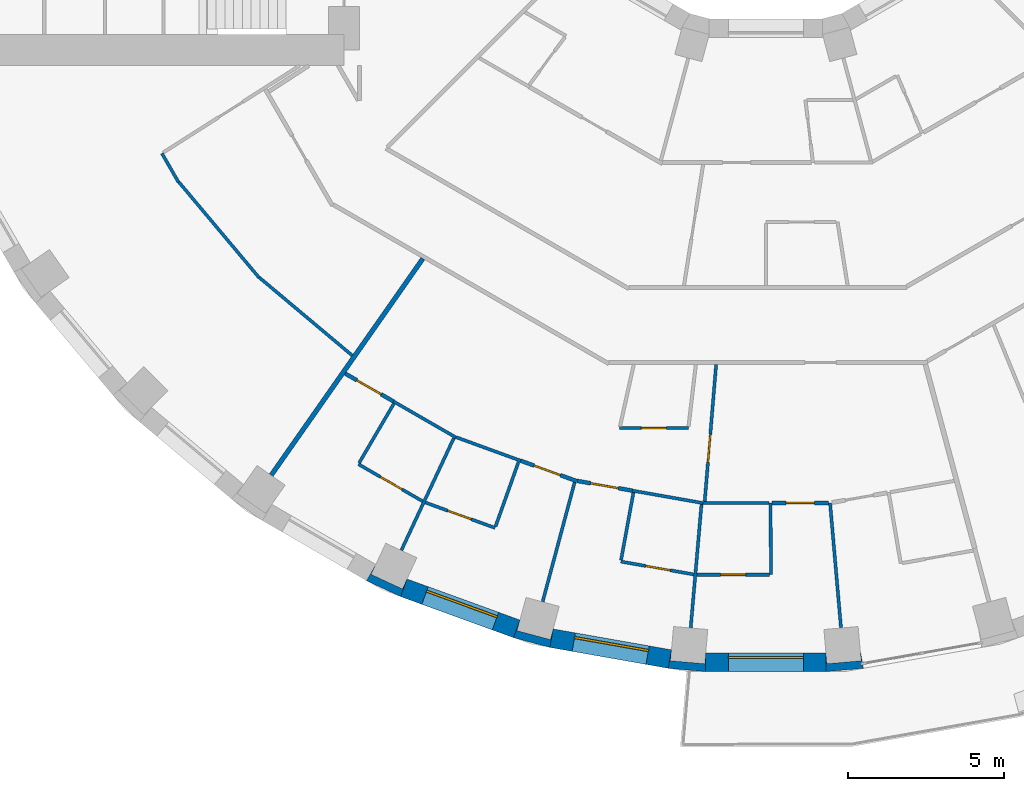
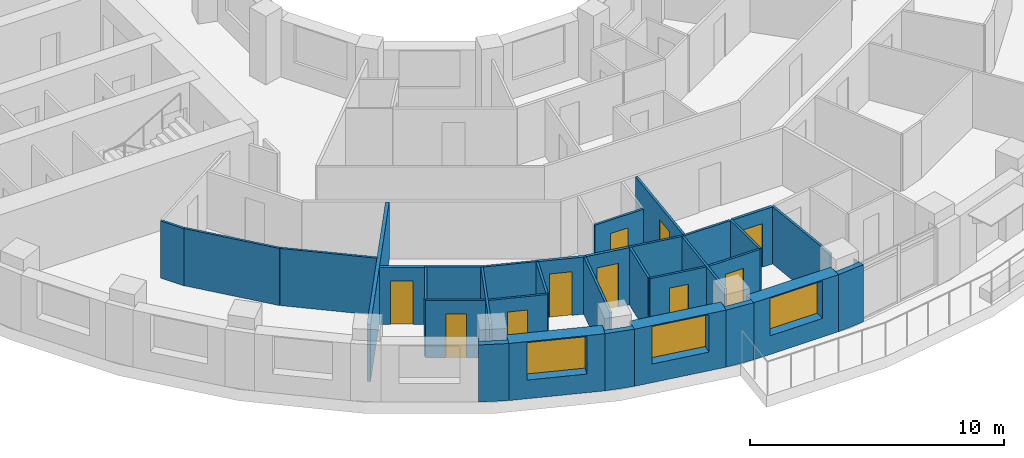
# One storey, part 5 of 16: 33 walls, 10 doors, 3 windows, 13 openings.
"""IFC4 building model written with IfcOpenShell, lengths in metres."""

from ifc_helpers import new_model, si_unit, direction, frame, frame_2d, origin, place, context, subcontext, project, spatial, polyline, rectangle, outline, extrude, material, layer, layer_set, type_object, element, fill, save


model = new_model("IFC4")

# Units and contexts
model_context = context("Model", 3, precision=1e-05, world=origin(), true_north=direction((0.0, 1.0)))
body_context = subcontext(model_context, "Body", "Model", "MODEL_VIEW")
ifc_project = project(units=[si_unit("LENGTHUNIT", "METRE"), si_unit("AREAUNIT", "SQUARE_METRE"), si_unit("VOLUMEUNIT", "CUBIC_METRE"), si_unit("PLANEANGLEUNIT", "RADIAN"), si_unit("MASSUNIT", "GRAM", prefix="KILO")], contexts=[model_context])

# Site, building, storey
site_placement = place(None, origin())
site = spatial("IfcSite", under=ifc_project, at=site_placement, CompositionType="ELEMENT")
building_placement = place(site_placement, origin())
building = spatial("IfcBuilding", under=site, at=building_placement, Name="Saqina Gate Tower", CompositionType="ELEMENT")
storey_placement = place(building_placement, frame((0.0, 0.0, 32.89990234375)))
storey = spatial("IfcBuildingStorey", under=building, at=storey_placement, Name="L08", CompositionType="ELEMENT", Elevation=32.89990234375)

# Walls
ifc_material_1 = material(Name="Brick masonry (red)", Category="masonry")
wall_type_1 = type_object("IfcWallType", Name="BRICK PIER COPING RED", PredefinedType="SOLIDWALL", material=ifc_material_1)
wall_1_placement = place(storey_placement, origin())
element("IfcWall", 1, at=wall_1_placement, inside=storey, type_object=wall_type_1, Name="Pier cap L08 column 25", PredefinedType="SOLIDWALL", context=body_context, shape_type="SweptSolid", body=[
    extrude(outline(polyline([(-11.687744140625, -26.48974609375), (-11.482666015625, -25.92578125), (-11.630615234375, -26.243408203125), (-12.627685546875, -25.778564453125), (-12.4794921875, -25.4609375), (-12.779541015625, -25.980712890625), (-11.687744140625, -26.48974609375)])), origin(), (0.0, 0.0, 1.0), 2.75),
])
wall_2_placement = place(storey_placement, origin())
element("IfcWall", 2, at=wall_2_placement, inside=storey, type_object=wall_type_1, Name="Pier cap L08 column 26", PredefinedType="SOLIDWALL", context=body_context, shape_type="SweptSolid", body=[
    extrude(outline(polyline([(-6.910400390625, -28.11669921875), (-6.80615234375, -27.52587890625), (-6.896728515625, -27.864501953125), (-7.95947265625, -27.57958984375), (-7.86865234375, -27.2412109375), (-8.073974609375, -27.80517578125), (-6.910400390625, -28.11669921875)])), origin(), (0.0, 0.0, 1.0), 2.75),
])
wall_3_placement = place(storey_placement, origin())
element("IfcWall", 3, at=wall_3_placement, inside=storey, type_object=wall_type_1, Name="Pier cap L08 column 27", PredefinedType="SOLIDWALL", context=body_context, shape_type="SweptSolid", body=[
    extrude(outline(polyline([(-3.122802734375, -28.78466796875), (-1.9228515625, -28.8896484375), (-1.9228515625, -28.28955078125), (-1.95361328125, -28.638671875), (-3.04931640625, -28.54296875), (-3.018798828125, -28.19384765625), (-3.122802734375, -28.78466796875)])), origin(), (0.0, 0.0, 1.0), 2.75),
])
wall_4_placement = place(storey_placement, origin())
element("IfcWall", 4, at=wall_4_placement, inside=storey, type_object=wall_type_1, Name="Pier cap L08 column 28", PredefinedType="SOLIDWALL", context=body_context, shape_type="SweptSolid", body=[
    extrude(outline(polyline([(1.9228515625, -28.8896484375), (3.122802734375, -28.78466796875), (3.018798828125, -28.19384765625), (3.04931640625, -28.54296875), (1.95361328125, -28.638671875), (1.9228515625, -28.28955078125), (1.9228515625, -28.8896484375)])), origin(), (0.0, 0.0, 1.0), 2.75),
])

# Wall, opening, window
ifc_material_2 = material(Name="Brick masonry (red)", Category="masonry")
ifc_layer_1 = layer(ifc_material_2, 0.60009765625)
ifc_layer_set_1 = layer_set([ifc_layer_1], Name="FW-BRICK-RED")
wall_type_2 = type_object("IfcWallType", Name="FW-BRICK-RED", PredefinedType="SOLIDWALL", material=ifc_layer_set_1)
wall_5_placement = place(storey_placement, frame((-11.585205078125, -26.207763671875, 0.0), z_axis=(0.0, 0.0, 1.0), x_axis=(0.939689588564, -0.342028474173, 0.0)))
wall_5 = element("IfcWall", 5, at=wall_5_placement, inside=storey, type_object=wall_type_2, Name="Facade wall L08 facet 25", PredefinedType="SOLIDWALL", context=body_context, shape_type="SweptSolid", body=[
    extrude(rectangle(XDim=3.845947265625, YDim=0.60009765625, at=frame_2d((1.9228515625, 0.0))), origin(), (0.0, 0.0, 1.0), 2.75),
])
opening_1_placement = place(wall_5_placement, frame((0.722900390625, 0.0, 0.89990234375)))
opening_1 = element("IfcOpeningElement", 6, at=opening_1_placement, cuts=wall_5, Name="Opening G01-W18", PredefinedType="OPENING", context=body_context, shape_type="SweptSolid", body=[
    extrude(rectangle(XDim=2.39990234375, YDim=1.800048828125, at=frame_2d((1.199951171875, 0.89990234375))), frame((0.0, 0.31201171875, 0.0), z_axis=(0.0, -1.0, 0.0), x_axis=(1.0, 0.0, 0.0)), (0.0, 0.0, 1.0), 0.6240234375),
])
ifc_material_3 = material(Name="Aluminium glazing", Category="aluminium")
window_type = type_object("IfcWindowType", Name="WN-A", PartitioningType="SINGLE_PANEL", PredefinedType="WINDOW", material=ifc_material_3)
window_1_placement = place(opening_1_placement, origin())
window_1 = element("IfcWindow", 7, at=window_1_placement, inside=storey, type_object=window_type, Name="Window L08 facet 25", OverallHeight=1.800048828125, OverallWidth=2.39990234375, PartitioningType="SINGLE_PANEL", PredefinedType="WINDOW", context=body_context, shape_type="SweptSolid", body=[
    extrude(rectangle(XDim=2.39990234375, YDim=1.800048828125, at=frame_2d((1.199951171875, 0.89990234375))), frame((0.0, 0.179931640625, 0.0), z_axis=(0.0, -1.0, 0.0), x_axis=(1.0, 0.0, 0.0)), (0.0, 0.0, 1.0), 0.06005859375),
])
fill(opening_1, window_1)

wall_6_placement = place(storey_placement, frame((-6.858154296875, -27.8212890625, 0.0), z_axis=(0.0, 0.0, 1.0), x_axis=(0.984800809218, -0.173687553279, 0.0)))
wall_6 = element("IfcWall", 8, at=wall_6_placement, inside=storey, type_object=wall_type_2, Name="Facade wall L08 facet 26", PredefinedType="SOLIDWALL", context=body_context, shape_type="SweptSolid", body=[
    extrude(rectangle(XDim=3.845703125, YDim=0.60009765625, at=frame_2d((1.9228515625, 0.0))), origin(), (0.0, 0.0, 1.0), 2.75),
])
opening_2_placement = place(wall_6_placement, frame((0.722900390625, 0.0, 0.89990234375)))
opening_2 = element("IfcOpeningElement", 9, at=opening_2_placement, cuts=wall_6, Name="Opening G01-W19", PredefinedType="OPENING", context=body_context, shape_type="SweptSolid", body=[
    extrude(rectangle(XDim=2.39990234375, YDim=1.800048828125, at=frame_2d((1.199951171875, 0.89990234375))), frame((0.0, 0.31201171875, 0.0), z_axis=(0.0, -1.0, 0.0), x_axis=(1.0, 0.0, 0.0)), (0.0, 0.0, 1.0), 0.6240234375),
])
window_2_placement = place(opening_2_placement, origin())
window_2 = element("IfcWindow", 10, at=window_2_placement, inside=storey, type_object=window_type, Name="Window L08 facet 26", OverallHeight=1.800048828125, OverallWidth=2.39990234375, PartitioningType="SINGLE_PANEL", PredefinedType="WINDOW", context=body_context, shape_type="SweptSolid", body=[
    extrude(rectangle(XDim=2.39990234375, YDim=1.800048828125, at=frame_2d((1.199951171875, 0.89990234375))), frame((0.0, 0.179931640625, 0.0), z_axis=(0.0, -1.0, 0.0), x_axis=(1.0, 0.0, 0.0)), (0.0, 0.0, 1.0), 0.06005859375),
])
fill(opening_2, window_2)

wall_7_placement = place(storey_placement, frame((-1.9228515625, -28.589599609375, 0.0), z_axis=(0.0, 0.0, 1.0), x_axis=(1.0, 0.0, 0.0)))
wall_7 = element("IfcWall", 11, at=wall_7_placement, inside=storey, type_object=wall_type_2, Name="Facade wall L08 facet 27", PredefinedType="SOLIDWALL", context=body_context, shape_type="SweptSolid", body=[
    extrude(rectangle(XDim=3.845703125, YDim=0.60009765625, at=frame_2d((1.9228515625, 0.0))), origin(), (0.0, 0.0, 1.0), 2.75),
])
opening_3_placement = place(wall_7_placement, frame((0.722900390625, 0.0, 0.89990234375)))
opening_3 = element("IfcOpeningElement", 12, at=opening_3_placement, cuts=wall_7, Name="Opening G01-W20", PredefinedType="OPENING", context=body_context, shape_type="SweptSolid", body=[
    extrude(rectangle(XDim=2.39990234375, YDim=1.800048828125, at=frame_2d((1.199951171875, 0.89990234375))), frame((0.0, 0.31201171875, 0.0), z_axis=(0.0, -1.0, 0.0), x_axis=(1.0, 0.0, 0.0)), (0.0, 0.0, 1.0), 0.6240234375),
])
window_3_placement = place(opening_3_placement, origin())
window_3 = element("IfcWindow", 13, at=window_3_placement, inside=storey, type_object=window_type, Name="Window L08 facet 27", OverallHeight=1.800048828125, OverallWidth=2.39990234375, PartitioningType="SINGLE_PANEL", PredefinedType="WINDOW", context=body_context, shape_type="SweptSolid", body=[
    extrude(rectangle(XDim=2.39990234375, YDim=1.800048828125, at=frame_2d((1.199951171875, 0.89990234375))), frame((0.0, 0.179931640625, 0.0), z_axis=(0.0, -1.0, 0.0), x_axis=(1.0, 0.0, 0.0)), (0.0, 0.0, 1.0), 0.06005859375),
])
fill(opening_3, window_3)

# Walls
ifc_material_4 = material(Name="Gypsum board on steel studs, 100 mm", Category="steel")
ifc_layer_2 = layer(ifc_material_4, 0.10009765625)
ifc_layer_set_2 = layer_set([ifc_layer_2], Name="PARTITION 100")
wall_type_3 = type_object("IfcWallType", Name="PARTITION 100", PredefinedType="PARTITIONING", material=ifc_layer_set_2)
wall_8_placement = place(storey_placement, frame((0.14990234375, -23.489990234375, 0.0), z_axis=(0.0, 0.0, 1.0), x_axis=(0.006580899844, -0.999978345644, 0.0)))
element("IfcWall", 14, at=wall_8_placement, inside=storey, type_object=wall_type_3, Name="PARTITION PW3-02", PredefinedType="PARTITIONING", context=body_context, shape_type="SweptSolid", body=[
    extrude(rectangle(XDim=2.300048828125, YDim=0.10009765625, at=frame_2d((1.14990234375, 0.0))), origin(), (0.0, 0.0, 1.0), 2.75),
])
wall_9_placement = place(storey_placement, frame((2.054931640625, -23.489990234375, 0.0), z_axis=(0.0, 0.0, 1.0), x_axis=(0.087176012461, -0.996192924514, 0.0)))
element("IfcWall", 15, at=wall_9_placement, inside=storey, type_object=wall_type_3, Name="PARTITION PW3-04", PredefinedType="PARTITIONING", context=body_context, shape_type="SweptSolid", body=[
    extrude(rectangle(XDim=4.010498046875, YDim=0.10009765625, at=frame_2d((2.00537109375, 0.0))), origin(), (0.0, 0.0, 1.0), 2.75),
])
wall_10_placement = place(storey_placement, frame((-19.324951171875, -12.306884765625, 0.0), z_axis=(0.0, 0.0, 1.0), x_axis=(0.499069511817, -0.866561955301, 0.0)))
element("IfcWall", 16, at=wall_10_placement, inside=storey, type_object=wall_type_3, Name="PARTITION PW3-23", PredefinedType="PARTITIONING", context=body_context, shape_type="SweptSolid", body=[
    extrude(rectangle(XDim=1.0576171875, YDim=0.10009765625, at=frame_2d((0.52880859375, 0.0))), origin(), (0.0, 0.0, 1.0), 2.75),
])
wall_11_placement = place(storey_placement, frame((-18.789794921875, -13.21728515625, 0.0), z_axis=(0.0, 0.0, 1.0), x_axis=(0.642871887239, -0.765973717955, 0.0)))
element("IfcWall", 17, at=wall_11_placement, inside=storey, type_object=wall_type_3, Name="PARTITION PW3-28", PredefinedType="PARTITIONING", context=body_context, shape_type="SweptSolid", body=[
    extrude(rectangle(XDim=4.006103515625, YDim=0.10009765625, at=frame_2d((2.0029296875, 0.0))), origin(), (0.0, 0.0, 1.0), 2.75),
])
wall_12_placement = place(storey_placement, frame((-16.208740234375, -16.279052734375, 0.0), z_axis=(0.0, 0.0, 1.0), x_axis=(0.765983658549, -0.642860042961, 0.0)))
element("IfcWall", 18, at=wall_12_placement, inside=storey, type_object=wall_type_3, Name="PARTITION PW3-33", PredefinedType="PARTITIONING", context=body_context, shape_type="SweptSolid", body=[
    extrude(rectangle(XDim=3.880615234375, YDim=0.10009765625, at=frame_2d((1.9404296875, 0.0))), origin(), (0.0, 0.0, 1.0), 2.75),
])

# Wall, opening, door
wall_13_placement = place(storey_placement, frame((-13.0380859375, -22.251953125, 0.0), z_axis=(0.0, 0.0, 1.0), x_axis=(0.865966132161, -0.500102647413, 0.0)))
wall_13 = element("IfcWall", 19, at=wall_13_placement, inside=storey, type_object=wall_type_3, Name="PARTITION PW3-37", PredefinedType="PARTITIONING", context=body_context, shape_type="SweptSolid", body=[
    extrude(rectangle(XDim=2.37158203125, YDim=0.10009765625, at=frame_2d((1.185791015625, 0.0))), origin(), (0.0, 0.0, 1.0), 2.75),
])
opening_4_placement = place(wall_13_placement, frame((0.810791015625, 0.0, 0.0)))
opening_4 = element("IfcOpeningElement", 20, at=opening_4_placement, cuts=wall_13, Name="Opening G01-D44", PredefinedType="OPENING", context=body_context, shape_type="SweptSolid", body=[
    extrude(rectangle(XDim=0.800048828125, YDim=2.10009765625, at=frame_2d((0.39990234375, 1.050048828125))), frame((0.0, 0.06201171875, 0.0), z_axis=(0.0, -1.0, 0.0), x_axis=(1.0, 0.0, 0.0)), (0.0, 0.0, 1.0), 0.1240234375),
])
ifc_material_5 = material(Name="Timber door leaf, 800 mm", Category="wood")
door_type_1 = type_object("IfcDoorType", Name="DOOR 800 TIMBER", OperationType="SINGLE_SWING_LEFT", PredefinedType="DOOR", material=ifc_material_5)
door_1_placement = place(opening_4_placement, frame((0.800048828125, 0.0, 0.0), z_axis=(0.0, 0.0, 1.0), x_axis=(-1.0, 0.0, 0.0)))
door_1 = element("IfcDoor", 21, at=door_1_placement, inside=storey, type_object=door_type_1, Name="DOOR G01-D44", OperationType="SINGLE_SWING_LEFT", OverallHeight=2.10009765625, OverallWidth=0.800048828125, PredefinedType="DOOR", context=body_context, shape_type="SweptSolid", body=[
    extrude(rectangle(XDim=0.800048828125, YDim=2.10009765625, at=frame_2d((0.39990234375, 1.050048828125))), frame((0.0, 0.02490234375, 0.0), z_axis=(0.0, -1.0, 0.0), x_axis=(1.0, 0.0, 0.0)), (0.0, 0.0, 1.0), 0.050048828125),
])
fill(opening_4, door_1)

# Wall
wall_14_placement = place(storey_placement, frame((-11.918212890625, -20.24267578125, 0.0), z_axis=(0.0, 0.0, 1.0), x_axis=(0.866176772653, -0.49973772973, 0.0)))
element("IfcWall", 22, at=wall_14_placement, inside=storey, type_object=wall_type_3, Name="PARTITION PW3-38", PredefinedType="PARTITIONING", context=body_context, shape_type="SweptSolid", body=[
    extrude(rectangle(XDim=2.305908203125, YDim=0.10009765625, at=frame_2d((1.15283203125, 0.0))), origin(), (0.0, 0.0, 1.0), 2.75),
])

# Wall, opening, door
wall_15_placement = place(storey_placement, frame((-10.89404296875, -23.47998046875, 0.0), z_axis=(0.0, 0.0, 1.0), x_axis=(0.939679129941, -0.342057206844, 0.0)))
wall_15 = element("IfcWall", 23, at=wall_15_placement, inside=storey, type_object=wall_type_3, Name="PARTITION PW3-47", PredefinedType="PARTITIONING", context=body_context, shape_type="SweptSolid", body=[
    extrude(rectangle(XDim=2.37109375, YDim=0.10009765625, at=frame_2d((1.185546875, 0.0))), origin(), (0.0, 0.0, 1.0), 2.75),
])
opening_5_placement = place(wall_15_placement, frame((0.760498046875, 0.0, 0.0)))
opening_5 = element("IfcOpeningElement", 24, at=opening_5_placement, cuts=wall_15, Name="Opening G01-D46", PredefinedType="OPENING", context=body_context, shape_type="SweptSolid", body=[
    extrude(rectangle(XDim=0.800048828125, YDim=2.10009765625, at=frame_2d((0.39990234375, 1.050048828125))), frame((0.0, 0.06201171875, 0.0), z_axis=(0.0, -1.0, 0.0), x_axis=(1.0, 0.0, 0.0)), (0.0, 0.0, 1.0), 0.1240234375),
])
door_2_placement = place(opening_5_placement, frame((0.800048828125, 0.0, 0.0), z_axis=(0.0, 0.0, 1.0), x_axis=(-1.0, 0.0, 0.0)))
door_2 = element("IfcDoor", 25, at=door_2_placement, inside=storey, type_object=door_type_1, Name="DOOR G01-D46", OperationType="SINGLE_SWING_RIGHT", OverallHeight=2.10009765625, OverallWidth=0.800048828125, PredefinedType="DOOR", context=body_context, shape_type="SweptSolid", body=[
    extrude(rectangle(XDim=0.800048828125, YDim=2.10009765625, at=frame_2d((0.39990234375, 1.050048828125))), frame((0.0, 0.02490234375, 0.0), z_axis=(0.0, -1.0, 0.0), x_axis=(1.0, 0.0, 0.0)), (0.0, 0.0, 1.0), 0.050048828125),
])
fill(opening_5, door_2)

# Wall
wall_16_placement = place(storey_placement, frame((-9.91796875, -21.38720703125, 0.0), z_axis=(0.0, 0.0, 1.0), x_axis=(0.939728749343, -0.341920864613, 0.0)))
element("IfcWall", 26, at=wall_16_placement, inside=storey, type_object=wall_type_3, Name="PARTITION PW3-48", PredefinedType="PARTITIONING", context=body_context, shape_type="SweptSolid", body=[
    extrude(rectangle(XDim=2.204833984375, YDim=0.10009765625, at=frame_2d((1.1025390625, 0.0))), origin(), (0.0, 0.0, 1.0), 2.75),
])

# Wall, opening, door
wall_17_placement = place(storey_placement, frame((-4.64111328125, -25.368896484375, 0.0), z_axis=(0.0, 0.0, 1.0), x_axis=(0.984774232096, -0.17383817705, 0.0)))
wall_17 = element("IfcWall", 27, at=wall_17_placement, inside=storey, type_object=wall_type_3, Name="PARTITION PW3-51", PredefinedType="PARTITIONING", context=body_context, shape_type="SweptSolid", body=[
    extrude(rectangle(XDim=2.3720703125, YDim=0.10009765625, at=frame_2d((1.18603515625, 0.0))), origin(), (0.0, 0.0, 1.0), 2.75),
])
opening_6_placement = place(wall_17_placement, frame((0.810791015625, 0.0, 0.0)))
opening_6 = element("IfcOpeningElement", 28, at=opening_6_placement, cuts=wall_17, Name="Opening G01-D51", PredefinedType="OPENING", context=body_context, shape_type="SweptSolid", body=[
    extrude(rectangle(XDim=0.800048828125, YDim=2.10009765625, at=frame_2d((0.39990234375, 1.050048828125))), frame((0.0, 0.06201171875, 0.0), z_axis=(0.0, -1.0, 0.0), x_axis=(1.0, 0.0, 0.0)), (0.0, 0.0, 1.0), 0.1240234375),
])
door_3_placement = place(opening_6_placement, frame((0.800048828125, 0.0, 0.0), z_axis=(0.0, 0.0, 1.0), x_axis=(-1.0, 0.0, 0.0)))
door_3 = element("IfcDoor", 29, at=door_3_placement, inside=storey, type_object=door_type_1, Name="DOOR G01-D51", OperationType="SINGLE_SWING_LEFT", OverallHeight=2.10009765625, OverallWidth=0.800048828125, PredefinedType="DOOR", context=body_context, shape_type="SweptSolid", body=[
    extrude(rectangle(XDim=0.800048828125, YDim=2.10009765625, at=frame_2d((0.39990234375, 1.050048828125))), frame((0.0, 0.02490234375, 0.0), z_axis=(0.0, -1.0, 0.0), x_axis=(1.0, 0.0, 0.0)), (0.0, 0.0, 1.0), 0.050048828125),
])
fill(opening_6, door_3)

# Wall
wall_18_placement = place(storey_placement, frame((-4.276123046875, -23.098388671875, 0.0), z_axis=(0.0, 0.0, 1.0), x_axis=(0.984814448646, -0.173610200557, 0.0)))
element("IfcWall", 30, at=wall_18_placement, inside=storey, type_object=wall_type_3, Name="PARTITION PW3-52", PredefinedType="PARTITIONING", context=body_context, shape_type="SweptSolid", body=[
    extrude(rectangle(XDim=2.30615234375, YDim=0.10009765625, at=frame_2d((1.153076171875, 0.0))), origin(), (0.0, 0.0, 1.0), 2.75),
])

# Wall, opening, door
wall_19_placement = place(storey_placement, frame((-2.2060546875, -25.7900390625, 0.0), z_axis=(0.0, 0.0, 1.0), x_axis=(1.0, 0.0, 0.0)))
wall_19 = element("IfcWall", 31, at=wall_19_placement, inside=storey, type_object=wall_type_3, Name="PARTITION PW3-55", PredefinedType="PARTITIONING", context=body_context, shape_type="SweptSolid", body=[
    extrude(rectangle(XDim=2.321044921875, YDim=0.10009765625, at=frame_2d((1.16064453125, 0.0))), origin(), (0.0, 0.0, 1.0), 2.75),
])
opening_7_placement = place(wall_19_placement, frame((0.760498046875, 0.0, 0.0)))
opening_7 = element("IfcOpeningElement", 32, at=opening_7_placement, cuts=wall_19, Name="Opening G01-D54", PredefinedType="OPENING", context=body_context, shape_type="SweptSolid", body=[
    extrude(rectangle(XDim=0.800048828125, YDim=2.10009765625, at=frame_2d((0.39990234375, 1.050048828125))), frame((0.0, 0.06201171875, 0.0), z_axis=(0.0, -1.0, 0.0), x_axis=(1.0, 0.0, 0.0)), (0.0, 0.0, 1.0), 0.1240234375),
])
door_4_placement = place(opening_7_placement, frame((0.800048828125, 0.0, 0.0), z_axis=(0.0, 0.0, 1.0), x_axis=(-1.0, 0.0, 0.0)))
door_4 = element("IfcDoor", 33, at=door_4_placement, inside=storey, type_object=door_type_1, Name="DOOR G01-D54", OperationType="SINGLE_SWING_RIGHT", OverallHeight=2.10009765625, OverallWidth=0.800048828125, PredefinedType="DOOR", context=body_context, shape_type="SweptSolid", body=[
    extrude(rectangle(XDim=0.800048828125, YDim=2.10009765625, at=frame_2d((0.39990234375, 1.050048828125))), frame((0.0, 0.02490234375, 0.0), z_axis=(0.0, -1.0, 0.0), x_axis=(1.0, 0.0, 0.0)), (0.0, 0.0, 1.0), 0.050048828125),
])
fill(opening_7, door_4)

# Wall
wall_20_placement = place(storey_placement, frame((-2.0048828125, -23.489990234375, 0.0), z_axis=(0.0, 0.0, 1.0), x_axis=(1.0, 0.0, 0.0)))
element("IfcWall", 34, at=wall_20_placement, inside=storey, type_object=wall_type_3, Name="PARTITION PW3-56", PredefinedType="PARTITIONING", context=body_context, shape_type="SweptSolid", body=[
    extrude(rectangle(XDim=2.10498046875, YDim=0.10009765625, at=frame_2d((1.052490234375, 0.0))), origin(), (0.0, 0.0, 1.0), 2.75),
])

# Wall, opening, door
wall_21_placement = place(storey_placement, frame((-4.677978515625, -21.10009765625, 0.0), z_axis=(0.0, 0.0, 1.0), x_axis=(1.0, 0.0, 0.0)))
wall_21 = element("IfcWall", 35, at=wall_21_placement, inside=storey, type_object=wall_type_3, Name="PARTITION PW3-57", PredefinedType="PARTITIONING", context=body_context, shape_type="SweptSolid", body=[
    extrude(rectangle(XDim=2.197998046875, YDim=0.10009765625, at=frame_2d((1.09912109375, 0.0))), origin(), (0.0, 0.0, 1.0), 2.75),
])
opening_8_placement = place(wall_21_placement, frame((0.698974609375, 0.0, 0.0)))
opening_8 = element("IfcOpeningElement", 36, at=opening_8_placement, cuts=wall_21, Name="Opening G01-D49", PredefinedType="OPENING", context=body_context, shape_type="SweptSolid", body=[
    extrude(rectangle(XDim=0.800048828125, YDim=2.10009765625, at=frame_2d((0.39990234375, 1.050048828125))), frame((0.0, 0.06201171875, 0.0), z_axis=(0.0, -1.0, 0.0), x_axis=(1.0, 0.0, 0.0)), (0.0, 0.0, 1.0), 0.1240234375),
])
door_5_placement = place(opening_8_placement, frame((0.800048828125, 0.0, 0.0), z_axis=(0.0, 0.0, 1.0), x_axis=(-1.0, 0.0, 0.0)))
door_5 = element("IfcDoor", 37, at=door_5_placement, inside=storey, type_object=door_type_1, Name="DOOR G01-D49", OperationType="SINGLE_SWING_LEFT", OverallHeight=2.10009765625, OverallWidth=0.800048828125, PredefinedType="DOOR", context=body_context, shape_type="SweptSolid", body=[
    extrude(rectangle(XDim=0.800048828125, YDim=2.10009765625, at=frame_2d((0.39990234375, 1.050048828125))), frame((0.0, 0.02490234375, 0.0), z_axis=(0.0, -1.0, 0.0), x_axis=(1.0, 0.0, 0.0)), (0.0, 0.0, 1.0), 0.050048828125),
])
fill(opening_8, door_5)

# Walls
wall_22_placement = place(storey_placement, frame((-13.0126953125, -22.208984375, 0.0), z_axis=(0.0, 0.0, 1.0), x_axis=(0.505622659536, 0.862754731174, 0.0)))
element("IfcWall", 38, at=wall_22_placement, inside=storey, type_object=wall_type_3, Name="PARTITION PW3-100", PredefinedType="PARTITIONING", context=body_context, shape_type="SweptSolid", body=[
    extrude(rectangle(XDim=2.199951171875, YDim=0.10009765625, at=frame_2d((1.10009765625, 0.0))), origin(), (0.0, 0.0, 1.0), 2.75),
])
wall_23_placement = place(storey_placement, frame((-11.66162109375, -25.004150390625, 0.0), z_axis=(0.0, 0.0, 1.0), x_axis=(0.423587219874, 0.905855323525, 0.0)))
element("IfcWall", 39, at=wall_23_placement, inside=storey, type_object=wall_type_3, Name="PARTITION PW3-104", PredefinedType="PARTITIONING", context=body_context, shape_type="SweptSolid", body=[
    extrude(rectangle(XDim=3.960693359375, YDim=0.10009765625, at=frame_2d((1.98046875, 0.0))), origin(), (0.0, 0.0, 1.0), 2.75),
])
wall_24_placement = place(storey_placement, frame((-8.649169921875, -24.243896484375, 0.0), z_axis=(0.0, 0.0, 1.0), x_axis=(0.335940567571, 0.941883185464, 0.0)))
element("IfcWall", 40, at=wall_24_placement, inside=storey, type_object=wall_type_3, Name="PARTITION PW3-106", PredefinedType="PARTITIONING", context=body_context, shape_type="SweptSolid", body=[
    extrude(rectangle(XDim=2.188232421875, YDim=0.10009765625, at=frame_2d((1.09423828125, 0.0))), origin(), (0.0, 0.0, 1.0), 2.75),
])
wall_25_placement = place(storey_placement, frame((-7.140625, -26.64990234375, 0.0), z_axis=(0.0, 0.0, 1.0), x_axis=(0.258740206688, 0.96594694753, 0.0)))
element("IfcWall", 41, at=wall_25_placement, inside=storey, type_object=wall_type_3, Name="PARTITION PW3-108", PredefinedType="PARTITIONING", context=body_context, shape_type="SweptSolid", body=[
    extrude(rectangle(XDim=3.947998046875, YDim=0.10009765625, at=frame_2d((1.97412109375, 0.0))), origin(), (0.0, 0.0, 1.0), 2.75),
])
wall_26_placement = place(storey_placement, frame((-4.632080078125, -25.31982421875, 0.0), z_axis=(0.0, 0.0, 1.0), x_axis=(0.180037913286, 0.983659671726, 0.0)))
element("IfcWall", 42, at=wall_26_placement, inside=storey, type_object=wall_type_3, Name="PARTITION PW3-112", PredefinedType="PARTITIONING", context=body_context, shape_type="SweptSolid", body=[
    extrude(rectangle(XDim=2.199462890625, YDim=0.10009765625, at=frame_2d((1.099609375, 0.0))), origin(), (0.0, 0.0, 1.0), 2.75),
])
wall_27_placement = place(storey_placement, frame((-2.404052734375, -27.485107421875, 0.0), z_axis=(0.0, 0.0, 1.0), x_axis=(0.087044593785, 0.996204416118, 0.0)))
element("IfcWall", 43, at=wall_27_placement, inside=storey, type_object=wall_type_3, Name="PARTITION PW3-117", PredefinedType="PARTITIONING", context=body_context, shape_type="SweptSolid", body=[
    extrude(rectangle(XDim=3.96044921875, YDim=0.10009765625, at=frame_2d((1.980224609375, 0.0))), origin(), (0.0, 0.0, 1.0), 2.75),
])

# Wall, opening, door
wall_28_placement = place(storey_placement, frame((-1.955810546875, -23.440185546875, 0.0), z_axis=(0.0, 0.0, 1.0), x_axis=(0.083247839263, 0.996528874272, 0.0)))
wall_28 = element("IfcWall", 44, at=wall_28_placement, inside=storey, type_object=wall_type_3, Name="PARTITION PW3-119", PredefinedType="PARTITIONING", context=body_context, shape_type="SweptSolid", body=[
    extrude(rectangle(XDim=4.39306640625, YDim=0.10009765625, at=frame_2d((2.196533203125, 0.0))), origin(), (0.0, 0.0, 1.0), 2.75),
])
opening_9_placement = place(wall_28_placement, frame((1.252685546875, 0.0, 0.0)))
opening_9 = element("IfcOpeningElement", 45, at=opening_9_placement, cuts=wall_28, Name="Opening G01-D52", PredefinedType="OPENING", context=body_context, shape_type="SweptSolid", body=[
    extrude(rectangle(XDim=0.89990234375, YDim=2.10009765625, at=frame_2d((0.449951171875, 1.050048828125))), frame((0.0, 0.06201171875, 0.0), z_axis=(0.0, -1.0, 0.0), x_axis=(1.0, 0.0, 0.0)), (0.0, 0.0, 1.0), 0.1240234375),
])
ifc_material_6 = material(Name="Timber door leaf, 900 mm", Category="wood")
door_type_2 = type_object("IfcDoorType", Name="DOOR 900 TIMBER", OperationType="SINGLE_SWING_LEFT", PredefinedType="DOOR", material=ifc_material_6)
door_6_placement = place(opening_9_placement, origin())
door_6 = element("IfcDoor", 46, at=door_6_placement, inside=storey, type_object=door_type_2, Name="DOOR G01-D52", OperationType="SINGLE_SWING_RIGHT", OverallHeight=2.10009765625, OverallWidth=0.89990234375, PredefinedType="DOOR", context=body_context, shape_type="SweptSolid", body=[
    extrude(rectangle(XDim=0.89990234375, YDim=2.10009765625, at=frame_2d((0.449951171875, 1.050048828125))), frame((0.0, 0.02490234375, 0.0), z_axis=(0.0, -1.0, 0.0), x_axis=(1.0, 0.0, 0.0)), (0.0, 0.0, 1.0), 0.050048828125),
])
fill(opening_9, door_6)

ifc_material_7 = material(Name="Gypsum board on steel studs, 125 mm, fire rated", Category="steel")
ifc_layer_3 = layer(ifc_material_7, 0.125)
ifc_layer_set_3 = layer_set([ifc_layer_3], Name="PARTITION EI 30 125")
wall_type_4 = type_object("IfcWallType", Name="PARTITION EI 30 125", PredefinedType="PARTITIONING", material=ifc_layer_set_3)
wall_29_placement = place(storey_placement, frame((-13.458984375, -19.3525390625, 0.0), z_axis=(0.0, 0.0, 1.0), x_axis=(0.865826772399, -0.500343881942, 0.0)))
wall_29 = element("IfcWall", 47, at=wall_29_placement, inside=storey, type_object=wall_type_4, Name="PARTITION PW1-13", PredefinedType="PARTITIONING", context=body_context, shape_type="SweptSolid", body=[
    extrude(rectangle(XDim=1.779541015625, YDim=0.125, at=frame_2d((0.8896484375, 0.0))), origin(), (0.0, 0.0, 1.0), 2.75),
])
opening_10_placement = place(wall_29_placement, frame((0.42724609375, 0.0, 0.0)))
opening_10 = element("IfcOpeningElement", 48, at=opening_10_placement, cuts=wall_29, Name="Opening G01-D43", PredefinedType="OPENING", context=body_context, shape_type="SweptSolid", body=[
    extrude(rectangle(XDim=0.89990234375, YDim=2.10009765625, at=frame_2d((0.449951171875, 1.050048828125))), frame((0.0, 0.074462890625, 0.0), z_axis=(0.0, -1.0, 0.0), x_axis=(1.0, 0.0, 0.0)), (0.0, 0.0, 1.0), 0.14892578125),
])
ifc_material_8 = material(Name="Fire door leaf EI 30, 900 mm")
door_type_3 = type_object("IfcDoorType", Name="DOOR 900 EI 30", OperationType="SINGLE_SWING_LEFT", PredefinedType="DOOR", material=ifc_material_8)
door_7_placement = place(opening_10_placement, origin())
door_7 = element("IfcDoor", 49, at=door_7_placement, inside=storey, type_object=door_type_3, Name="DOOR G01-D43", OperationType="SINGLE_SWING_LEFT", OverallHeight=2.10009765625, OverallWidth=0.89990234375, PredefinedType="DOOR", context=body_context, shape_type="SweptSolid", body=[
    extrude(rectangle(XDim=0.89990234375, YDim=2.10009765625, at=frame_2d((0.449951171875, 1.050048828125))), frame((0.0, 0.02490234375, 0.0), z_axis=(0.0, -1.0, 0.0), x_axis=(1.0, 0.0, 0.0)), (0.0, 0.0, 1.0), 0.050048828125),
])
fill(opening_10, door_7)

wall_30_placement = place(storey_placement, frame((-7.845947265625, -22.14111328125, 0.0), z_axis=(0.0, 0.0, 1.0), x_axis=(0.939598786757, -0.342277840247, 0.0)))
wall_30 = element("IfcWall", 50, at=wall_30_placement, inside=storey, type_object=wall_type_4, Name="PARTITION PW1-21", PredefinedType="PARTITIONING", context=body_context, shape_type="SweptSolid", body=[
    extrude(rectangle(XDim=1.906005859375, YDim=0.125, at=frame_2d((0.953125, 0.0))), origin(), (0.0, 0.0, 1.0), 2.75),
])
opening_11_placement = place(wall_30_placement, frame((0.452392578125, 0.0, 0.0)))
opening_11 = element("IfcOpeningElement", 51, at=opening_11_placement, cuts=wall_30, Name="Opening G01-D47", PredefinedType="OPENING", context=body_context, shape_type="SweptSolid", body=[
    extrude(rectangle(XDim=0.89990234375, YDim=2.10009765625, at=frame_2d((0.449951171875, 1.050048828125))), frame((0.0, 0.074462890625, 0.0), z_axis=(0.0, -1.0, 0.0), x_axis=(1.0, 0.0, 0.0)), (0.0, 0.0, 1.0), 0.14892578125),
])
door_8_placement = place(opening_11_placement, origin())
door_8 = element("IfcDoor", 52, at=door_8_placement, inside=storey, type_object=door_type_3, Name="DOOR G01-D47", OperationType="SINGLE_SWING_RIGHT", OverallHeight=2.10009765625, OverallWidth=0.89990234375, PredefinedType="DOOR", context=body_context, shape_type="SweptSolid", body=[
    extrude(rectangle(XDim=0.89990234375, YDim=2.10009765625, at=frame_2d((0.449951171875, 1.050048828125))), frame((0.0, 0.02490234375, 0.0), z_axis=(0.0, -1.0, 0.0), x_axis=(1.0, 0.0, 0.0)), (0.0, 0.0, 1.0), 0.050048828125),
])
fill(opening_11, door_8)

wall_31_placement = place(storey_placement, frame((-6.04150390625, -22.786865234375, 0.0), z_axis=(0.0, 0.0, 1.0), x_axis=(0.984784929821, -0.173777564715, 0.0)))
wall_31 = element("IfcWall", 53, at=wall_31_placement, inside=storey, type_object=wall_type_4, Name="PARTITION PW1-23", PredefinedType="PARTITIONING", context=body_context, shape_type="SweptSolid", body=[
    extrude(rectangle(XDim=1.792724609375, YDim=0.125, at=frame_2d((0.896484375, 0.0))), origin(), (0.0, 0.0, 1.0), 2.75),
])
opening_12_placement = place(wall_31_placement, frame((0.43994140625, 0.0, 0.0)))
opening_12 = element("IfcOpeningElement", 54, at=opening_12_placement, cuts=wall_31, Name="Opening G01-D48", PredefinedType="OPENING", context=body_context, shape_type="SweptSolid", body=[
    extrude(rectangle(XDim=0.89990234375, YDim=2.10009765625, at=frame_2d((0.449951171875, 1.050048828125))), frame((0.0, 0.074462890625, 0.0), z_axis=(0.0, -1.0, 0.0), x_axis=(1.0, 0.0, 0.0)), (0.0, 0.0, 1.0), 0.14892578125),
])
door_9_placement = place(opening_12_placement, origin())
door_9 = element("IfcDoor", 55, at=door_9_placement, inside=storey, type_object=door_type_3, Name="DOOR G01-D48", OperationType="SINGLE_SWING_LEFT", OverallHeight=2.10009765625, OverallWidth=0.89990234375, PredefinedType="DOOR", context=body_context, shape_type="SweptSolid", body=[
    extrude(rectangle(XDim=0.89990234375, YDim=2.10009765625, at=frame_2d((0.449951171875, 1.050048828125))), frame((0.0, 0.02490234375, 0.0), z_axis=(0.0, -1.0, 0.0), x_axis=(1.0, 0.0, 0.0)), (0.0, 0.0, 1.0), 0.050048828125),
])
fill(opening_12, door_9)

wall_32_placement = place(storey_placement, frame((0.199951171875, -23.489990234375, 0.0), z_axis=(0.0, 0.0, 1.0), x_axis=(1.0, 0.0, 0.0)))
wall_32 = element("IfcWall", 56, at=wall_32_placement, inside=storey, type_object=wall_type_4, Name="PARTITION PW1-25", PredefinedType="PARTITIONING", context=body_context, shape_type="SweptSolid", body=[
    extrude(rectangle(XDim=1.804931640625, YDim=0.125, at=frame_2d((0.90234375, 0.0))), origin(), (0.0, 0.0, 1.0), 2.75),
])
opening_13_placement = place(wall_32_placement, frame((0.452392578125, 0.0, 0.0)))
opening_13 = element("IfcOpeningElement", 57, at=opening_13_placement, cuts=wall_32, Name="Opening G01-D55", PredefinedType="OPENING", context=body_context, shape_type="SweptSolid", body=[
    extrude(rectangle(XDim=0.89990234375, YDim=2.10009765625, at=frame_2d((0.449951171875, 1.050048828125))), frame((0.0, 0.074462890625, 0.0), z_axis=(0.0, -1.0, 0.0), x_axis=(1.0, 0.0, 0.0)), (0.0, 0.0, 1.0), 0.14892578125),
])
door_10_placement = place(opening_13_placement, origin())
door_10 = element("IfcDoor", 58, at=door_10_placement, inside=storey, type_object=door_type_3, Name="DOOR G01-D55", OperationType="SINGLE_SWING_RIGHT", OverallHeight=2.10009765625, OverallWidth=0.89990234375, PredefinedType="DOOR", context=body_context, shape_type="SweptSolid", body=[
    extrude(rectangle(XDim=0.89990234375, YDim=2.10009765625, at=frame_2d((0.449951171875, 1.050048828125))), frame((0.0, 0.02490234375, 0.0), z_axis=(0.0, -1.0, 0.0), x_axis=(1.0, 0.0, 0.0)), (0.0, 0.0, 1.0), 0.050048828125),
])
fill(opening_13, door_10)

# Wall
ifc_material_9 = material(Name="Gypsum board on steel studs, 150 mm, fire rated", Category="steel")
ifc_layer_4 = layer(ifc_material_9, 0.14990234375)
ifc_layer_set_4 = layer_set([ifc_layer_4], Name="PARTITION EI 60 150")
wall_type_5 = type_object("IfcWallType", Name="PARTITION EI 60 150", PredefinedType="PARTITIONING", material=ifc_layer_set_4)
wall_33_placement = place(storey_placement, frame((-15.82470703125, -22.6005859375, 0.0), z_axis=(0.0, 0.0, 1.0), x_axis=(0.573566991507, 0.819158657559, 0.0)))
element("IfcWall", 59, at=wall_33_placement, inside=storey, type_object=wall_type_5, Name="PARTITION PW2-03", PredefinedType="PARTITIONING", context=body_context, shape_type="SweptSolid", body=[
    extrude(rectangle(XDim=8.454833984375, YDim=0.14990234375, at=frame_2d((4.2275390625, 0.0))), origin(), (0.0, 0.0, 1.0), 2.75),
])

save(model, "model.ifc")
